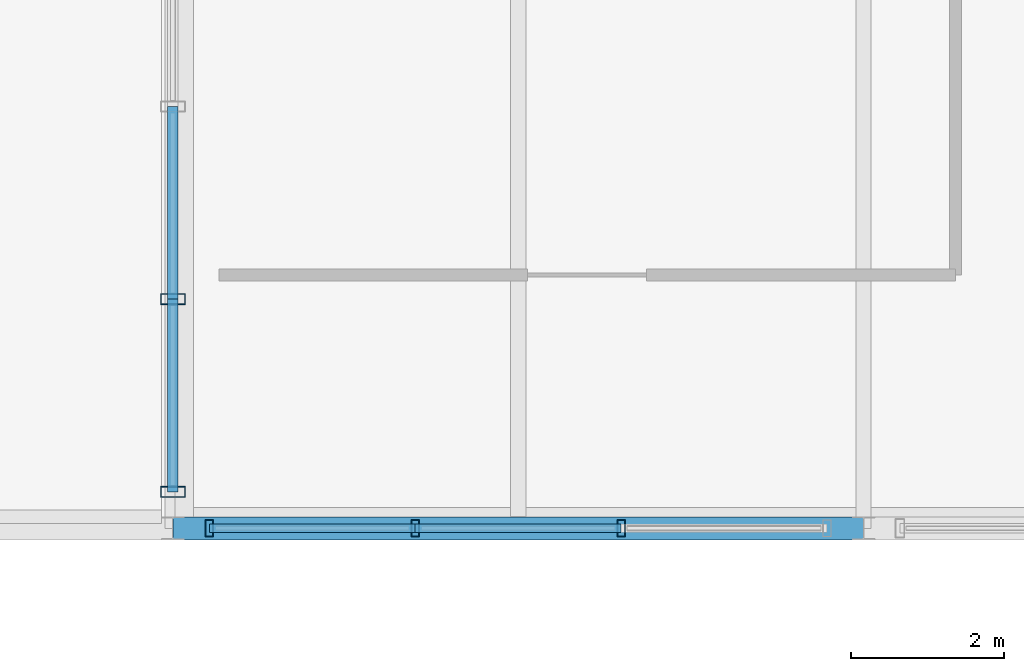
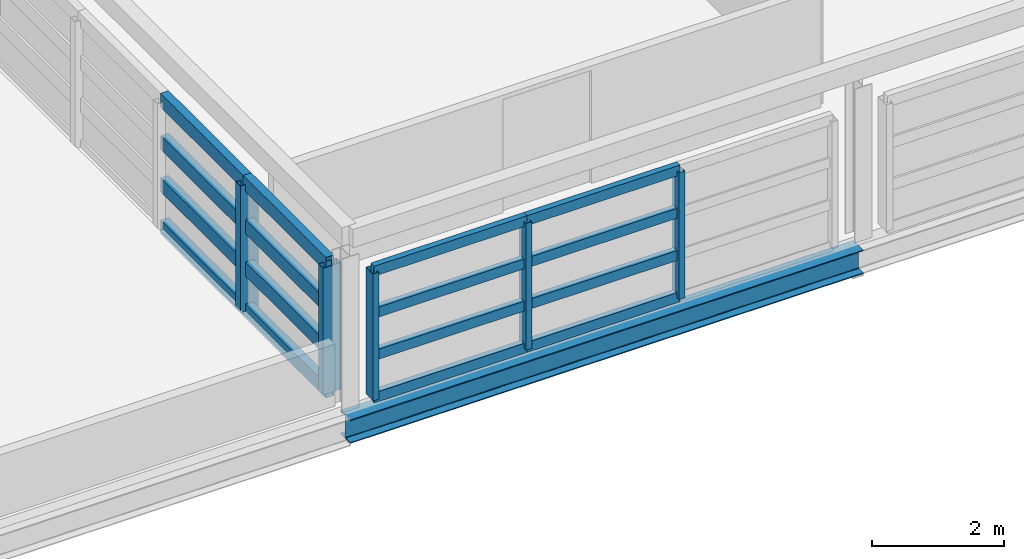
# One storey, part 6 of 27: 21 members, 1 beam, 2 elements without a shape of their own.
"""IFC4 building model written with IfcOpenShell, lengths in metres."""

import ifcopenshell
import ifcopenshell.guid

model = None  # the IFC model being written
_history = None  # IfcOwnerHistory: only IFC2X3 demands one
_inside = {}  # id of a spatial element -> (the spatial element, [elements in it])
_under = {}  # id of a project, library or spatial element -> (it, [spatial elements below it])
_declared = {}  # id of a project -> (the project, [libraries it declares])
_typed = {}  # id of a type object -> (the type object, [elements of that type])
_made_of = {}  # id of a material, layer set ... -> (it, [elements and type objects made of it])


def new_model(schema):
    """Start an empty IFC model of exactly this schema.

    Asked for "IFC4X3", IfcOpenShell would pick the latest addendum, in which some entities
    have other attributes; the version numbers below select the first issue.
    IFC2X3 requires an IfcOwnerHistory on every rooted entity: one is made here for all.
    """
    global model, _history
    if schema == "IFC4X3":
        model = ifcopenshell.file(schema_version=(4, 3, 0, 0))
    else:
        model = ifcopenshell.file(schema=schema)
    _inside.clear()
    _under.clear()
    _declared.clear()
    _typed.clear()
    _made_of.clear()
    _history = None
    if model.schema == "IFC2X3":
        org = make("IfcOrganization", Name="unknown")
        user = make(
            "IfcPersonAndOrganization",
            ThePerson=make("IfcPerson", FamilyName="unknown"),
            TheOrganization=org,
        )
        app = make(
            "IfcApplication",
            ApplicationDeveloper=org,
            Version="unknown",
            ApplicationFullName="unknown",
            ApplicationIdentifier="unknown",
        )
        _history = make(
            "IfcOwnerHistory",
            OwningUser=user,
            OwningApplication=app,
            ChangeAction="ADDED",
            CreationDate=0,
        )
    return model


def make(cls, **values):
    """One entity of the class cls with the attributes given. An attribute that is None is left unset."""
    return model.create_entity(
        cls, **{name: value for name, value in values.items() if value is not None}
    )


def rooted(cls, **values):
    """An entity with a GlobalId (a new one), such as an element, a storey or a relation."""
    return make(cls, GlobalId=ifcopenshell.guid.new(), OwnerHistory=_history, **values)


def si_unit(unit_type, name, prefix=None):
    """IfcSIUnit, for example si_unit("LENGTHUNIT", "METRE", prefix="MILLI")."""
    return make("IfcSIUnit", UnitType=unit_type, Prefix=prefix, Name=name)


def assignment(units):
    """IfcUnitAssignment: the units of a project."""
    return None if units is None else make("IfcUnitAssignment", Units=units)


def point(xyz):
    """IfcCartesianPoint."""
    return None if xyz is None else make("IfcCartesianPoint", Coordinates=xyz)


def direction(xyz):
    """IfcDirection."""
    return None if xyz is None else make("IfcDirection", DirectionRatios=xyz)


def frame(location, z_axis=None, x_axis=None):
    """IfcAxis2Placement3D, a coordinate frame: its origin and axes. An axis left out is left unset."""
    return make(
        "IfcAxis2Placement3D",
        Location=point(location),
        Axis=direction(z_axis),
        RefDirection=direction(x_axis),
    )


def frame_2d(location, x_axis=None):
    """IfcAxis2Placement2D, a coordinate frame in the plane: its origin and x axis."""
    return make(
        "IfcAxis2Placement2D", Location=point(location), RefDirection=direction(x_axis)
    )


def origin():
    """The frame at (0, 0, 0) with its axes left unset."""
    return frame((0.0, 0.0, 0.0))


def origin_2d():
    """The frame at (0, 0) in the plane with its x axis left unset."""
    return frame_2d((0.0, 0.0))


def place(relative_to, where):
    """IfcLocalPlacement: puts the frame where relative to a parent placement (None: the world)."""
    return make(
        "IfcLocalPlacement", PlacementRelTo=relative_to, RelativePlacement=where
    )


def context(
    kind, dimensions, precision=None, world=None, true_north=None, identifier=None
):
    """IfcGeometricRepresentationContext, for example the 3D "Model" context."""
    return make(
        "IfcGeometricRepresentationContext",
        ContextIdentifier=identifier,
        ContextType=kind,
        CoordinateSpaceDimension=dimensions,
        Precision=precision,
        WorldCoordinateSystem=world,
        TrueNorth=true_north,
    )


def subcontext(parent, identifier, kind, view, scale=None):
    """IfcGeometricRepresentationSubContext, for example "Body" below "Model"."""
    return make(
        "IfcGeometricRepresentationSubContext",
        ContextIdentifier=identifier,
        ContextType=kind,
        ParentContext=parent,
        TargetScale=scale,
        TargetView=view,
    )


def project(units=None, contexts=None):
    """IfcProject with its units and contexts."""
    return rooted(
        "IfcProject",
        Name="project",
        RepresentationContexts=contexts,
        UnitsInContext=assignment(units),
    )


def spatial(cls, under=None, at=None, **own):
    """A site, building, storey or space (cls), placed at a placement, below another one or the project."""
    s = rooted(cls, ObjectPlacement=at, **own)
    if under is not None:
        _under.setdefault(under.id(), (under, []))[1].append(s)
    return s


def profile(cls, at=None, kind="AREA", **sizes):
    """A parametric profile (cls). Its sizes go by their IFC names, for example OverallWidth=200.0."""
    return make(cls, ProfileType=kind, Position=at, **sizes)


def hollow_rectangle(**sizes):
    """IfcRectangleHollowProfileDef."""
    return profile("IfcRectangleHollowProfileDef", **sizes)


def i_section(**sizes):
    """IfcIShapeProfileDef."""
    return profile("IfcIShapeProfileDef", **sizes)


def extrude(swept, where, along, depth):
    """IfcExtrudedAreaSolid: the profile swept, set in the frame where, extruded along a direction by depth."""
    return make(
        "IfcExtrudedAreaSolid",
        SweptArea=swept,
        Position=where,
        ExtrudedDirection=direction(along),
        Depth=depth,
    )


def shape(context_of_items, identifier, shape_type, items):
    """IfcShapeRepresentation: the items that make up one representation, for example the "Body"."""
    return make(
        "IfcShapeRepresentation",
        ContextOfItems=context_of_items,
        RepresentationIdentifier=identifier,
        RepresentationType=shape_type,
        Items=items,
    )


def material(Name=None, Category=None):
    """IfcMaterial."""
    return make("IfcMaterial", Name=Name, Category=Category)


def material_profile(
    of_material, cross_section, Name=None, Category=None, Priority=None
):
    """IfcMaterialProfile: a cross section and its material."""
    return make(
        "IfcMaterialProfile",
        Name=Name,
        Material=of_material,
        Profile=cross_section,
        Priority=Priority,
        Category=Category,
    )


def profile_set(profiles, Name=None, composite=None):
    """IfcMaterialProfileSet."""
    return make(
        "IfcMaterialProfileSet",
        Name=Name,
        MaterialProfiles=profiles,
        CompositeProfile=composite,
    )


def made_of(thing, what):
    """Note that an element or type object is made of a material, layer set ...; save() writes the relation."""
    if what is not None:
        _made_of.setdefault(what.id(), (what, []))[1].append(thing)
    return thing


def type_object(cls, material=None, **own):
    """A type object (cls), such as IfcWallType, which elements share."""
    return made_of(rooted(cls, **own), material)


def element(
    cls,
    number,
    at=None,
    inside=None,
    cuts=None,
    type_object=None,
    material=None,
    context=None,
    identifier="Body",
    shape_type=None,
    held_by="IfcProductDefinitionShape",
    body=None,
    shapes=None,
    **own,
):
    """One element of the class cls, such as IfcWall. Its Tag is "e" and its number.

    at: its placement. inside: the storey or other place that contains it. cuts: it is an
    opening in that element (IfcRelVoidsElement). A single representation is given by context,
    identifier, shape_type and body (its items); several are given by shapes. held_by: the class
    of the entity that holds the representations. save() writes the other relations.
    """
    e = rooted(cls, Tag="e%d" % number, ObjectPlacement=at, **own)
    if body is not None:
        shapes = [shape(context, identifier, shape_type, body)]
    if shapes is not None:
        e.Representation = make(held_by, Representations=shapes)
    if inside is not None:
        _inside.setdefault(inside.id(), (inside, []))[1].append(e)
    if cuts is not None:
        rooted(
            "IfcRelVoidsElement", RelatingBuildingElement=cuts, RelatedOpeningElement=e
        )
    if type_object is not None:
        _typed.setdefault(type_object.id(), (type_object, []))[1].append(e)
    return made_of(e, material)


def aggregate(whole, parts):
    """IfcRelAggregates: a whole, such as a stair, and the parts it consists of."""
    return rooted("IfcRelAggregates", RelatingObject=whole, RelatedObjects=parts)


def save(model, path):
    """Write the relations noted so far, then the file.

    IfcRelAggregates (storeys below a building ...), IfcRelContainedInSpatialStructure (elements
    in a storey), IfcRelDefinesByType, IfcRelAssociatesMaterial and IfcRelDeclares: one each for
    every whole, place, type object, material and project.
    """
    for whole, parts in _under.values():
        aggregate(whole, parts)
    for where, things in _inside.values():
        rooted(
            "IfcRelContainedInSpatialStructure",
            RelatedElements=things,
            RelatingStructure=where,
        )
    for kind, things in _typed.values():
        rooted("IfcRelDefinesByType", RelatedObjects=things, RelatingType=kind)
    for what, things in _made_of.values():
        rooted("IfcRelAssociatesMaterial", RelatedObjects=things, RelatingMaterial=what)
    for by, libraries in _declared.values():
        rooted("IfcRelDeclares", RelatingContext=by, RelatedDefinitions=libraries)
    model.write(path)


model = new_model("IFC4")

# Units and contexts
model_context = context("Model", 3, precision=1e-05, world=origin(), true_north=direction((0.0, 1.0)))
body_context = subcontext(model_context, "Body", "Model", "MODEL_VIEW")
ifc_project = project(units=[si_unit("LENGTHUNIT", "METRE"), si_unit("AREAUNIT", "SQUARE_METRE"), si_unit("VOLUMEUNIT", "CUBIC_METRE"), si_unit("PLANEANGLEUNIT", "RADIAN"), si_unit("MASSUNIT", "GRAM", prefix="KILO")], contexts=[model_context])

# Site, building, storey
site_placement = place(None, origin())
site = spatial("IfcSite", under=ifc_project, at=site_placement, CompositionType="ELEMENT")
building_placement = place(site_placement, origin())
building = spatial("IfcBuilding", under=site, at=building_placement, Name="Chuanluo Vaults Station", CompositionType="ELEMENT")
storey_placement = place(building_placement, frame((0.0, 0.0, 20.800048828125)))
storey = spatial("IfcBuildingStorey", under=building, at=storey_placement, Name="L05", CompositionType="ELEMENT", Elevation=20.800048828125)

# Beam
ifc_material_1 = material(Name="Steel Q355C", Category="steel")
ifc_material_profile_1 = material_profile(ifc_material_1, i_section(OverallWidth=0.300048828125, OverallDepth=0.43994140625, WebThickness=0.010986328125, FlangeThickness=0.01806640625, FilletRadius=0.02001953125, at=origin_2d()))
ifc_profile_set_1 = profile_set([ifc_material_profile_1], Name="Steel Q355C")
beam_type = type_object("IfcBeamType", Name="BM-GRD-450", PredefinedType="USERDEFINED", material=ifc_profile_set_1)
beam_placement = place(storey_placement, frame((136.0, 103.5, -0.400146484375), z_axis=(1.0, 0.0, 0.0), x_axis=(0.0, 1.0, 0.0)))
element("IfcBeam", 1, at=beam_placement, inside=storey, type_object=beam_type, Name="Floor girder BM:GX:L05:0966", ObjectType="GIRDER", PredefinedType="USERDEFINED", context=body_context, shape_type="SweptSolid", body=[
    extrude(i_section(OverallWidth=0.300048828125, OverallDepth=0.43994140625, WebThickness=0.010986328125, FlangeThickness=0.01806640625, FilletRadius=0.02001953125, at=origin_2d()), origin(), (0.0, 0.0, 1.0), 9.0),
])

# Curtain wall, members
ifc_material_2 = material(Name="Anodised aluminium 6063-T6", Category="aluminium")
curtain_wall_type_1 = type_object("IfcCurtainWallType", Name="CW-SYS-24", PredefinedType="NOTDEFINED", material=ifc_material_2)
curtain_wall_1_placement = place(storey_placement, origin())
curtain_wall_1 = element("IfcCurtainWall", 2, at=curtain_wall_1_placement, inside=storey, type_object=curtain_wall_type_1, Name="Operations L05 facade CW", PredefinedType="NOTDEFINED")
ifc_material_3 = material(Name="Anodised aluminium 6063-T6", Category="aluminium")
ifc_material_profile_2 = material_profile(ifc_material_3, hollow_rectangle(XDim=0.10498046875, YDim=0.219970703125, WallThickness=0.006103515625, at=origin_2d()))
ifc_profile_set_2 = profile_set([ifc_material_profile_2], Name="Anodised aluminium 6063-T6")
member_type_1 = type_object("IfcMemberType", Name="CWM-140", PredefinedType="MULLION", material=ifc_profile_set_2)
member_1_placement = place(storey_placement, frame((141.841796875, 103.5, 0.0), z_axis=(0.0, 0.0, 1.0), x_axis=(-1.0, 0.0, 0.0)))
member_1 = element("IfcMember", 3, at=member_1_placement, type_object=member_type_1, Name="Operations L05 facade CW mullion 2", PredefinedType="MULLION", context=body_context, shape_type="SweptSolid", body=[
    extrude(hollow_rectangle(XDim=0.10498046875, YDim=0.219970703125, WallThickness=0.006103515625, at=origin_2d()), origin(), (0.0, 0.0, 1.0), 2.349853515625),
])
member_2_placement = place(storey_placement, frame((139.158203125, 103.5, 0.0), z_axis=(0.0, 0.0, 1.0), x_axis=(-1.0, 0.0, 0.0)))
member_2 = element("IfcMember", 4, at=member_2_placement, type_object=member_type_1, Name="Operations L05 facade CW mullion 3", PredefinedType="MULLION", context=body_context, shape_type="SweptSolid", body=[
    extrude(hollow_rectangle(XDim=0.10498046875, YDim=0.219970703125, WallThickness=0.006103515625, at=origin_2d()), origin(), (0.0, 0.0, 1.0), 2.349853515625),
])
member_3_placement = place(storey_placement, frame((136.47509765625, 103.5, 0.0), z_axis=(0.0, 0.0, 1.0), x_axis=(-1.0, 0.0, 0.0)))
member_3 = element("IfcMember", 5, at=member_3_placement, type_object=member_type_1, Name="Operations L05 facade CW mullion 4", PredefinedType="MULLION", context=body_context, shape_type="SweptSolid", body=[
    extrude(hollow_rectangle(XDim=0.10498046875, YDim=0.219970703125, WallThickness=0.006103515625, at=origin_2d()), origin(), (0.0, 0.0, 1.0), 2.349853515625),
])

ifc_material_4 = material(Name="Anodised aluminium 6063-T6", Category="aluminium")
curtain_wall_type_2 = type_object("IfcCurtainWallType", Name="CW-SYS-25", PredefinedType="NOTDEFINED", material=ifc_material_4)
curtain_wall_2_placement = place(storey_placement, origin())
curtain_wall_2 = element("IfcCurtainWall", 6, at=curtain_wall_2_placement, inside=storey, type_object=curtain_wall_type_2, Name="Operations L05 facade CW", PredefinedType="NOTDEFINED")
ifc_material_5 = material(Name="Anodised aluminium 6063-T6", Category="aluminium")
ifc_material_profile_3 = material_profile(ifc_material_5, hollow_rectangle(XDim=0.139892578125, YDim=0.320068359375, WallThickness=0.008056640625, at=origin_2d()))
ifc_profile_set_3 = profile_set([ifc_material_profile_3], Name="Anodised aluminium 6063-T6")
member_type_2 = type_object("IfcMemberType", Name="CWM-220", PredefinedType="MULLION", material=ifc_profile_set_3)
member_4_placement = place(storey_placement, frame((136.0, 103.97509765625, 0.0), z_axis=(0.0, 0.0, 1.0), x_axis=(0.0, 1.0, 0.0)))
member_4 = element("IfcMember", 7, at=member_4_placement, type_object=member_type_2, Name="Operations L05 facade CW mullion 1", PredefinedType="MULLION", context=body_context, shape_type="SweptSolid", body=[
    extrude(hollow_rectangle(XDim=0.139892578125, YDim=0.320068359375, WallThickness=0.008056640625, at=origin_2d()), origin(), (0.0, 0.0, 1.0), 2.349853515625),
])
member_5_placement = place(storey_placement, frame((136.0, 106.485107421875, 0.0), z_axis=(0.0, 0.0, 1.0), x_axis=(0.0, 1.0, 0.0)))
member_5 = element("IfcMember", 8, at=member_5_placement, type_object=member_type_2, Name="Operations L05 facade CW mullion 2", PredefinedType="MULLION", context=body_context, shape_type="SweptSolid", body=[
    extrude(hollow_rectangle(XDim=0.139892578125, YDim=0.320068359375, WallThickness=0.008056640625, at=origin_2d()), origin(), (0.0, 0.0, 1.0), 2.349853515625),
])

# Member
ifc_material_6 = material(Name="Anodised aluminium 6063-T6", Category="aluminium")
ifc_material_profile_4 = material_profile(ifc_material_6, hollow_rectangle(XDim=0.10498046875, YDim=0.18505859375, WallThickness=0.0048828125, at=origin_2d()))
ifc_profile_set_4 = profile_set([ifc_material_profile_4], Name="Anodised aluminium 6063-T6")
member_type_3 = type_object("IfcMemberType", Name="CWT-110", PredefinedType="USERDEFINED", material=ifc_profile_set_4)
member_6_placement = place(storey_placement, frame((141.841796875, 103.5, 0.0), z_axis=(-1.0, 0.0, 0.0), x_axis=(0.0, -1.0, 0.0)))
member_6 = element("IfcMember", 9, at=member_6_placement, type_object=member_type_3, Name="Operations L05 facade CW transom 2.1", ObjectType="TRANSOM", PredefinedType="USERDEFINED", context=body_context, shape_type="SweptSolid", body=[
    extrude(hollow_rectangle(XDim=0.10498046875, YDim=0.18505859375, WallThickness=0.0048828125, at=origin_2d()), origin(), (0.0, 0.0, 1.0), 2.68359375),
])

member_7_placement = place(storey_placement, frame((141.841796875, 103.5, 0.783203125), z_axis=(-1.0, 0.0, 0.0), x_axis=(0.0, -1.0, 0.0)))
member_7 = element("IfcMember", 10, at=member_7_placement, type_object=member_type_3, Name="Operations L05 facade CW transom 2.2", ObjectType="TRANSOM", PredefinedType="USERDEFINED", context=body_context, shape_type="SweptSolid", body=[
    extrude(hollow_rectangle(XDim=0.10498046875, YDim=0.18505859375, WallThickness=0.0048828125, at=origin_2d()), origin(), (0.0, 0.0, 1.0), 2.68359375),
])

member_8_placement = place(storey_placement, frame((141.841796875, 103.5, 1.566650390625), z_axis=(-1.0, 0.0, 0.0), x_axis=(0.0, -1.0, 0.0)))
member_8 = element("IfcMember", 11, at=member_8_placement, type_object=member_type_3, Name="Operations L05 facade CW transom 2.3", ObjectType="TRANSOM", PredefinedType="USERDEFINED", context=body_context, shape_type="SweptSolid", body=[
    extrude(hollow_rectangle(XDim=0.10498046875, YDim=0.18505859375, WallThickness=0.0048828125, at=origin_2d()), origin(), (0.0, 0.0, 1.0), 2.68359375),
])

member_9_placement = place(storey_placement, frame((141.841796875, 103.5, 2.349853515625), z_axis=(-1.0, 0.0, 0.0), x_axis=(0.0, -1.0, 0.0)))
member_9 = element("IfcMember", 12, at=member_9_placement, type_object=member_type_3, Name="Operations L05 facade CW transom 2.4", ObjectType="TRANSOM", PredefinedType="USERDEFINED", context=body_context, shape_type="SweptSolid", body=[
    extrude(hollow_rectangle(XDim=0.10498046875, YDim=0.18505859375, WallThickness=0.0048828125, at=origin_2d()), origin(), (0.0, 0.0, 1.0), 2.68359375),
])

member_10_placement = place(storey_placement, frame((139.158203125, 103.5, 0.0), z_axis=(-1.0, 0.0, 0.0), x_axis=(0.0, -1.0, 0.0)))
member_10 = element("IfcMember", 13, at=member_10_placement, type_object=member_type_3, Name="Operations L05 facade CW transom 3.1", ObjectType="TRANSOM", PredefinedType="USERDEFINED", context=body_context, shape_type="SweptSolid", body=[
    extrude(hollow_rectangle(XDim=0.10498046875, YDim=0.18505859375, WallThickness=0.0048828125, at=origin_2d()), origin(), (0.0, 0.0, 1.0), 2.68310546875),
])

member_11_placement = place(storey_placement, frame((139.158203125, 103.5, 0.783203125), z_axis=(-1.0, 0.0, 0.0), x_axis=(0.0, -1.0, 0.0)))
member_11 = element("IfcMember", 14, at=member_11_placement, type_object=member_type_3, Name="Operations L05 facade CW transom 3.2", ObjectType="TRANSOM", PredefinedType="USERDEFINED", context=body_context, shape_type="SweptSolid", body=[
    extrude(hollow_rectangle(XDim=0.10498046875, YDim=0.18505859375, WallThickness=0.0048828125, at=origin_2d()), origin(), (0.0, 0.0, 1.0), 2.68310546875),
])

member_12_placement = place(storey_placement, frame((139.158203125, 103.5, 1.566650390625), z_axis=(-1.0, 0.0, 0.0), x_axis=(0.0, -1.0, 0.0)))
member_12 = element("IfcMember", 15, at=member_12_placement, type_object=member_type_3, Name="Operations L05 facade CW transom 3.3", ObjectType="TRANSOM", PredefinedType="USERDEFINED", context=body_context, shape_type="SweptSolid", body=[
    extrude(hollow_rectangle(XDim=0.10498046875, YDim=0.18505859375, WallThickness=0.0048828125, at=origin_2d()), origin(), (0.0, 0.0, 1.0), 2.68310546875),
])

member_13_placement = place(storey_placement, frame((139.158203125, 103.5, 2.349853515625), z_axis=(-1.0, 0.0, 0.0), x_axis=(0.0, -1.0, 0.0)))
member_13 = element("IfcMember", 16, at=member_13_placement, type_object=member_type_3, Name="Operations L05 facade CW transom 3.4", ObjectType="TRANSOM", PredefinedType="USERDEFINED", context=body_context, shape_type="SweptSolid", body=[
    extrude(hollow_rectangle(XDim=0.10498046875, YDim=0.18505859375, WallThickness=0.0048828125, at=origin_2d()), origin(), (0.0, 0.0, 1.0), 2.68310546875),
])

aggregate(curtain_wall_1, [member_1, member_2, member_3, member_6, member_7, member_8, member_9, member_10, member_11, member_12, member_13])

ifc_material_7 = material(Name="Anodised aluminium 6063-T6", Category="aluminium")
ifc_material_profile_5 = material_profile(ifc_material_7, hollow_rectangle(XDim=0.139892578125, YDim=0.260009765625, WallThickness=0.007080078125, at=origin_2d()))
ifc_profile_set_5 = profile_set([ifc_material_profile_5], Name="Anodised aluminium 6063-T6")
member_type_4 = type_object("IfcMemberType", Name="CWT-180", PredefinedType="USERDEFINED", material=ifc_profile_set_5)
member_14_placement = place(storey_placement, frame((136.0, 103.97509765625, 0.0), z_axis=(0.0, 1.0, 0.0), x_axis=(-1.0, 0.0, 0.0)))
member_14 = element("IfcMember", 17, at=member_14_placement, type_object=member_type_4, Name="Operations L05 facade CW transom 1.1", ObjectType="TRANSOM", PredefinedType="USERDEFINED", context=body_context, shape_type="SweptSolid", body=[
    extrude(hollow_rectangle(XDim=0.139892578125, YDim=0.260009765625, WallThickness=0.007080078125, at=origin_2d()), origin(), (0.0, 0.0, 1.0), 2.510009765625),
])

member_15_placement = place(storey_placement, frame((136.0, 103.97509765625, 0.783203125), z_axis=(0.0, 1.0, 0.0), x_axis=(-1.0, 0.0, 0.0)))
member_15 = element("IfcMember", 18, at=member_15_placement, type_object=member_type_4, Name="Operations L05 facade CW transom 1.2", ObjectType="TRANSOM", PredefinedType="USERDEFINED", context=body_context, shape_type="SweptSolid", body=[
    extrude(hollow_rectangle(XDim=0.139892578125, YDim=0.260009765625, WallThickness=0.007080078125, at=origin_2d()), origin(), (0.0, 0.0, 1.0), 2.510009765625),
])

member_16_placement = place(storey_placement, frame((136.0, 103.97509765625, 1.566650390625), z_axis=(0.0, 1.0, 0.0), x_axis=(-1.0, 0.0, 0.0)))
member_16 = element("IfcMember", 19, at=member_16_placement, type_object=member_type_4, Name="Operations L05 facade CW transom 1.3", ObjectType="TRANSOM", PredefinedType="USERDEFINED", context=body_context, shape_type="SweptSolid", body=[
    extrude(hollow_rectangle(XDim=0.139892578125, YDim=0.260009765625, WallThickness=0.007080078125, at=origin_2d()), origin(), (0.0, 0.0, 1.0), 2.510009765625),
])

member_17_placement = place(storey_placement, frame((136.0, 103.97509765625, 2.349853515625), z_axis=(0.0, 1.0, 0.0), x_axis=(-1.0, 0.0, 0.0)))
member_17 = element("IfcMember", 20, at=member_17_placement, type_object=member_type_4, Name="Operations L05 facade CW transom 1.4", ObjectType="TRANSOM", PredefinedType="USERDEFINED", context=body_context, shape_type="SweptSolid", body=[
    extrude(hollow_rectangle(XDim=0.139892578125, YDim=0.260009765625, WallThickness=0.007080078125, at=origin_2d()), origin(), (0.0, 0.0, 1.0), 2.510009765625),
])

member_18_placement = place(storey_placement, frame((136.0, 106.485107421875, 0.0), z_axis=(0.0, 1.0, 0.0), x_axis=(-1.0, 0.0, 0.0)))
member_18 = element("IfcMember", 21, at=member_18_placement, type_object=member_type_4, Name="Operations L05 facade CW transom 2.1", ObjectType="TRANSOM", PredefinedType="USERDEFINED", context=body_context, shape_type="SweptSolid", body=[
    extrude(hollow_rectangle(XDim=0.139892578125, YDim=0.260009765625, WallThickness=0.007080078125, at=origin_2d()), origin(), (0.0, 0.0, 1.0), 2.510009765625),
])

member_19_placement = place(storey_placement, frame((136.0, 106.485107421875, 0.783203125), z_axis=(0.0, 1.0, 0.0), x_axis=(-1.0, 0.0, 0.0)))
member_19 = element("IfcMember", 22, at=member_19_placement, type_object=member_type_4, Name="Operations L05 facade CW transom 2.2", ObjectType="TRANSOM", PredefinedType="USERDEFINED", context=body_context, shape_type="SweptSolid", body=[
    extrude(hollow_rectangle(XDim=0.139892578125, YDim=0.260009765625, WallThickness=0.007080078125, at=origin_2d()), origin(), (0.0, 0.0, 1.0), 2.510009765625),
])

member_20_placement = place(storey_placement, frame((136.0, 106.485107421875, 1.566650390625), z_axis=(0.0, 1.0, 0.0), x_axis=(-1.0, 0.0, 0.0)))
member_20 = element("IfcMember", 23, at=member_20_placement, type_object=member_type_4, Name="Operations L05 facade CW transom 2.3", ObjectType="TRANSOM", PredefinedType="USERDEFINED", context=body_context, shape_type="SweptSolid", body=[
    extrude(hollow_rectangle(XDim=0.139892578125, YDim=0.260009765625, WallThickness=0.007080078125, at=origin_2d()), origin(), (0.0, 0.0, 1.0), 2.510009765625),
])

member_21_placement = place(storey_placement, frame((136.0, 106.485107421875, 2.349853515625), z_axis=(0.0, 1.0, 0.0), x_axis=(-1.0, 0.0, 0.0)))
member_21 = element("IfcMember", 24, at=member_21_placement, type_object=member_type_4, Name="Operations L05 facade CW transom 2.4", ObjectType="TRANSOM", PredefinedType="USERDEFINED", context=body_context, shape_type="SweptSolid", body=[
    extrude(hollow_rectangle(XDim=0.139892578125, YDim=0.260009765625, WallThickness=0.007080078125, at=origin_2d()), origin(), (0.0, 0.0, 1.0), 2.510009765625),
])

aggregate(curtain_wall_2, [member_4, member_5, member_14, member_15, member_16, member_17, member_18, member_19, member_20, member_21])

save(model, "model.ifc")
